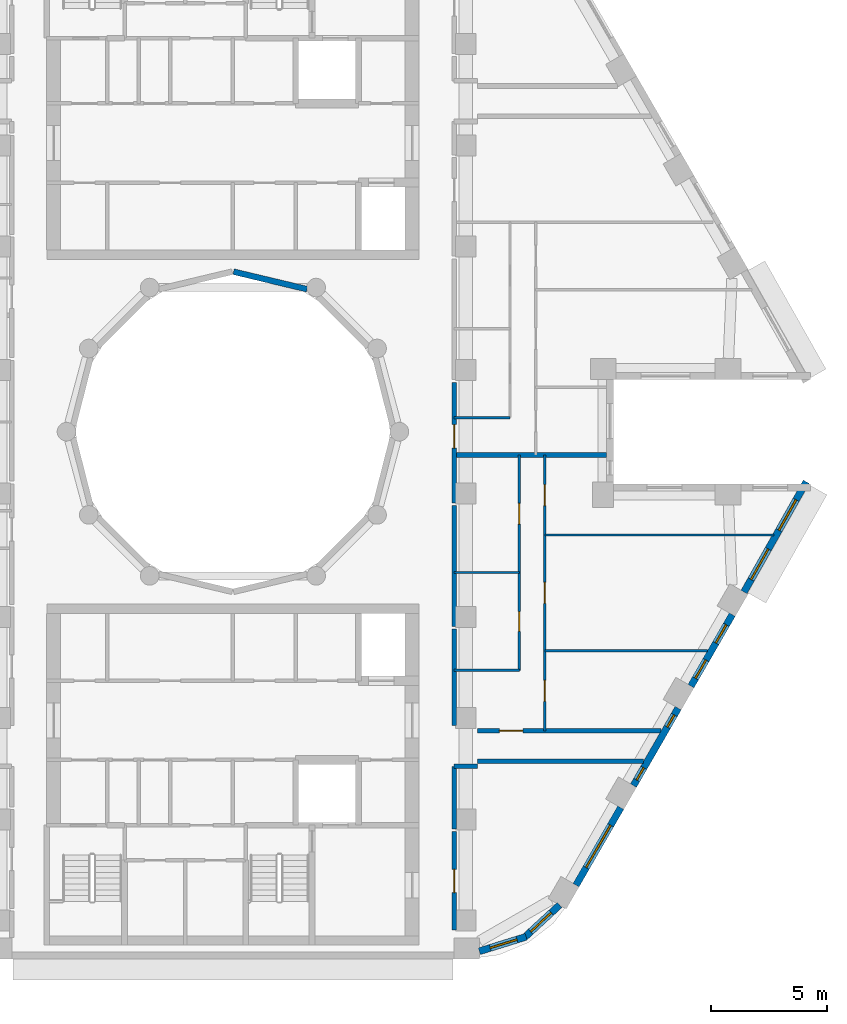
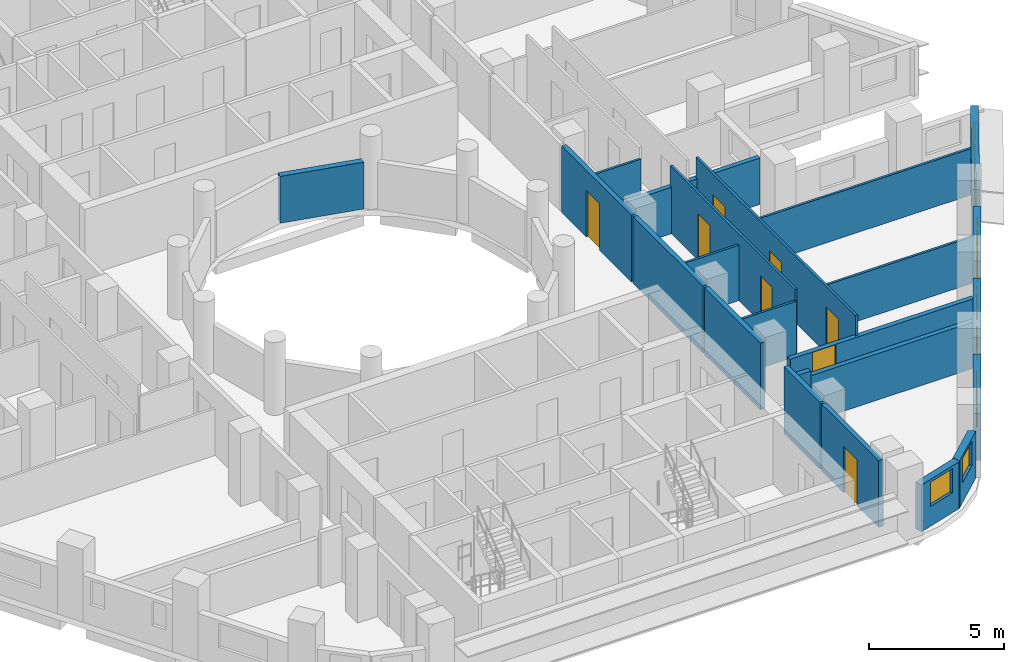
# One storey, part 5 of 13: 23 walls, 9 windows, 8 doors, 17 openings.
"""IFC4 building model written with IfcOpenShell, lengths in metres."""

from ifc_helpers import new_model, si_unit, direction, frame, frame_2d, origin, place, context, subcontext, project, spatial, rectangle, extrude, material, layer, layer_set, type_object, element, fill, save


model = new_model("IFC4")

# Units and contexts
model_context = context("Model", 3, precision=1e-05, world=origin(), true_north=direction((0.0, 1.0)))
body_context = subcontext(model_context, "Body", "Model", "MODEL_VIEW")
ifc_project = project(units=[si_unit("LENGTHUNIT", "METRE"), si_unit("AREAUNIT", "SQUARE_METRE"), si_unit("VOLUMEUNIT", "CUBIC_METRE"), si_unit("PLANEANGLEUNIT", "RADIAN"), si_unit("MASSUNIT", "GRAM", prefix="KILO")], contexts=[model_context])

# Site, building, storey
site_placement = place(None, origin())
site = spatial("IfcSite", under=ifc_project, at=site_placement, CompositionType="ELEMENT")
building_placement = place(site_placement, origin())
building = spatial("IfcBuilding", under=site, at=building_placement, Name="Nakaniwa Court", CompositionType="ELEMENT")
storey_placement = place(building_placement, frame((0.0, 0.0, 269.10009765625)))
storey = spatial("IfcBuildingStorey", under=building, at=storey_placement, Name="L71", CompositionType="ELEMENT", Elevation=269.10009765625)

# Wall, opening, door
ifc_material_1 = material(Name="Acoustic double stud partition")
ifc_layer_1 = layer(ifc_material_1, 0.199951171875)
ifc_layer_set_1 = layer_set([ifc_layer_1], Name="Acoustic double stud partition")
wall_type_1 = type_object("IfcWallType", Name="Acoustic double stud partition 200", PredefinedType="PARTITIONING", material=ifc_layer_set_1)
wall_1_placement = place(storey_placement, frame((89.5, 62.822998046875, 0.0), z_axis=(0.0, 0.0, 1.0), x_axis=(0.0, -1.0, 0.0)))
wall_1 = element("IfcWall", 1, at=wall_1_placement, inside=storey, type_object=wall_type_1, Name="Partition PW-059", PredefinedType="PARTITIONING", context=body_context, shape_type="SweptSolid", body=[
    extrude(rectangle(XDim=4.236083984375, YDim=0.199951171875, at=frame_2d((2.1181640625, 0.0))), origin(), (0.0, 0.0, 1.0), 3.02490234375),
])
opening_1_placement = place(wall_1_placement, frame((1.617919921875, 0.0, 0.0)))
opening_1 = element("IfcOpeningElement", 2, at=opening_1_placement, cuts=wall_1, Name="Opening D-02-01", PredefinedType="OPENING", context=body_context, shape_type="SweptSolid", body=[
    extrude(rectangle(XDim=1.0, YDim=2.10009765625, at=frame_2d((0.5, 1.050048828125))), frame((0.0, 0.10986328125, 0.0), z_axis=(0.0, -1.0, 0.0), x_axis=(1.0, 0.0, 0.0)), (0.0, 0.0, 1.0), 0.219970703125),
])
ifc_material_2 = material(Name="Solid core timber door set, black veneer", Category="wood")
door_type_1 = type_object("IfcDoorType", Name="Internal door 1000", OperationType="NOTDEFINED", PredefinedType="DOOR", material=ifc_material_2)
door_1_placement = place(opening_1_placement, origin())
door_1 = element("IfcDoor", 3, at=door_1_placement, inside=storey, type_object=door_type_1, Name="Door D-02-01 L71-031", OperationType="SINGLE_SWING_RIGHT", OverallHeight=2.10009765625, OverallWidth=1.0, PredefinedType="DOOR", context=body_context, shape_type="SweptSolid", body=[
    extrude(rectangle(XDim=1.0, YDim=2.10009765625, at=frame_2d((0.5, 1.050048828125))), frame((0.0, 0.02490234375, 0.0), z_axis=(0.0, -1.0, 0.0), x_axis=(1.0, 0.0, 0.0)), (0.0, 0.0, 1.0), 0.050048828125),
])
fill(opening_1, door_1)

# Walls
wall_2_placement = place(storey_placement, frame((89.5, 62.93701171875, 0.0), z_axis=(0.0, 0.0, 1.0), x_axis=(0.0, 1.0, 0.0)))
element("IfcWall", 4, at=wall_2_placement, inside=storey, type_object=wall_type_1, Name="Partition PW-060", PredefinedType="PARTITIONING", context=body_context, shape_type="SweptSolid", body=[
    extrude(rectangle(XDim=2.69091796875, YDim=0.199951171875, at=frame_2d((1.345458984375, 0.0))), origin(), (0.0, 0.0, 1.0), 3.02490234375),
])
wall_3_placement = place(storey_placement, frame((89.5, 67.3720703125, 0.0), z_axis=(0.0, 0.0, 1.0), x_axis=(0.0, 1.0, 0.0)))
element("IfcWall", 5, at=wall_3_placement, inside=storey, type_object=wall_type_1, Name="Partition PW-061", PredefinedType="PARTITIONING", context=body_context, shape_type="SweptSolid", body=[
    extrude(rectangle(XDim=4.15087890625, YDim=0.199951171875, at=frame_2d((2.075439453125, 0.0))), origin(), (0.0, 0.0, 1.0), 3.02490234375),
])
wall_4_placement = place(storey_placement, frame((89.5, 71.636962890625, 0.0), z_axis=(0.0, 0.0, 1.0), x_axis=(0.0, 1.0, 0.0)))
element("IfcWall", 6, at=wall_4_placement, inside=storey, type_object=wall_type_1, Name="Partition PW-062", PredefinedType="PARTITIONING", context=body_context, shape_type="SweptSolid", body=[
    extrude(rectangle(XDim=5.18603515625, YDim=0.199951171875, at=frame_2d((2.593017578125, 0.0))), origin(), (0.0, 0.0, 1.0), 3.02490234375),
])

# Wall, opening, door
wall_5_placement = place(storey_placement, frame((89.5, 82.123046875, 0.0), z_axis=(0.0, 0.0, 1.0), x_axis=(0.0, -1.0, 0.0)))
wall_5 = element("IfcWall", 7, at=wall_5_placement, inside=storey, type_object=wall_type_1, Name="Partition PW-063", PredefinedType="PARTITIONING", context=body_context, shape_type="SweptSolid", body=[
    extrude(rectangle(XDim=5.18603515625, YDim=0.199951171875, at=frame_2d((2.593017578125, 0.0))), origin(), (0.0, 0.0, 1.0), 3.02490234375),
])
opening_2_placement = place(wall_5_placement, frame((1.822998046875, 0.0, 0.0)))
opening_2 = element("IfcOpeningElement", 8, at=opening_2_placement, cuts=wall_5, Name="Opening D-01-01", PredefinedType="OPENING", context=body_context, shape_type="SweptSolid", body=[
    extrude(rectangle(XDim=1.0, YDim=2.10009765625, at=frame_2d((0.5, 1.050048828125))), frame((0.0, 0.10986328125, 0.0), z_axis=(0.0, -1.0, 0.0), x_axis=(1.0, 0.0, 0.0)), (0.0, 0.0, 1.0), 0.219970703125),
])
door_type_2 = type_object("IfcDoorType", Name="Flat entrance door 1000", OperationType="NOTDEFINED", PredefinedType="DOOR", material=ifc_material_2)
door_2_placement = place(opening_2_placement, origin())
door_2 = element("IfcDoor", 9, at=door_2_placement, inside=storey, type_object=door_type_2, Name="Door D-01-01 L71-038", OperationType="SINGLE_SWING_LEFT", OverallHeight=2.10009765625, OverallWidth=1.0, PredefinedType="DOOR", context=body_context, shape_type="SweptSolid", body=[
    extrude(rectangle(XDim=1.0, YDim=2.10009765625, at=frame_2d((0.5, 1.050048828125))), frame((0.0, 0.02490234375, 0.0), z_axis=(0.0, -1.0, 0.0), x_axis=(1.0, 0.0, 0.0)), (0.0, 0.0, 1.0), 0.050048828125),
])
fill(opening_2, door_2)

# Walls
wall_6_placement = place(storey_placement, frame((90.5, 65.85009765625, 0.0), z_axis=(0.0, 0.0, 1.0), x_axis=(1.0, 0.0, 0.0)))
element("IfcWall", 10, at=wall_6_placement, inside=storey, type_object=wall_type_1, Name="Partition PW-079", PredefinedType="PARTITIONING", context=body_context, shape_type="SweptSolid", body=[
    extrude(rectangle(XDim=7.13818359375, YDim=0.199951171875, at=frame_2d((3.569091796875, 0.0))), origin(), (0.0, 0.0, 1.0), 2.10498046875),
])
wall_7_placement = place(storey_placement, frame((89.5, 65.625, 0.0), z_axis=(0.0, 0.0, 1.0), x_axis=(1.0, 0.0, 0.0)))
element("IfcWall", 11, at=wall_7_placement, inside=storey, type_object=wall_type_1, Name="Partition PW-081", PredefinedType="PARTITIONING", context=body_context, shape_type="SweptSolid", body=[
    extrude(rectangle(XDim=1.0, YDim=0.199951171875, at=frame_2d((0.5, 0.0))), origin(), (0.0, 0.0, 1.0), 2.5048828125),
])

# Wall, opening, door
wall_8_placement = place(storey_placement, frame((90.5, 67.14990234375, 0.0), z_axis=(0.0, 0.0, 1.0), x_axis=(1.0, 0.0, 0.0)))
wall_8 = element("IfcWall", 12, at=wall_8_placement, inside=storey, type_object=wall_type_1, Name="Partition PW-083", PredefinedType="PARTITIONING", context=body_context, shape_type="SweptSolid", body=[
    extrude(rectangle(XDim=7.888671875, YDim=0.199951171875, at=frame_2d((3.9443359375, 0.0))), origin(), (0.0, 0.0, 1.0), 2.10498046875),
])
opening_3_placement = place(wall_8_placement, frame((0.949951171875, 0.0, 0.0)))
opening_3 = element("IfcOpeningElement", 13, at=opening_3_placement, cuts=wall_8, Name="Opening D-39-01", PredefinedType="OPENING", context=body_context, shape_type="SweptSolid", body=[
    extrude(rectangle(XDim=1.0, YDim=2.0849609375, at=frame_2d((0.5, 1.04248046875))), frame((0.0, 0.10986328125, 0.0), z_axis=(0.0, -1.0, 0.0), x_axis=(1.0, 0.0, 0.0)), (0.0, 0.0, 1.0), 0.219970703125),
])
door_type_3 = type_object("IfcDoorType", Name="Flat entrance door 1000 x 2085", OperationType="NOTDEFINED", PredefinedType="DOOR", material=ifc_material_2)
door_3_placement = place(opening_3_placement, origin())
door_3 = element("IfcDoor", 14, at=door_3_placement, inside=storey, type_object=door_type_3, Name="Door D-39-01 L71-032", OperationType="SINGLE_SWING_LEFT", OverallHeight=2.0849609375, OverallWidth=1.0, PredefinedType="DOOR", context=body_context, shape_type="SweptSolid", body=[
    extrude(rectangle(XDim=1.0, YDim=2.0849609375, at=frame_2d((0.5, 1.04248046875))), frame((0.0, 0.02490234375, 0.0), z_axis=(0.0, -1.0, 0.0), x_axis=(1.0, 0.0, 0.0)), (0.0, 0.0, 1.0), 0.050048828125),
])
fill(opening_3, door_3)

# Wall
wall_9_placement = place(storey_placement, frame((89.5, 79.0, 0.0), z_axis=(0.0, 0.0, 1.0), x_axis=(1.0, 0.0, 0.0)))
element("IfcWall", 15, at=wall_9_placement, inside=storey, type_object=wall_type_1, Name="Partition PW-099", PredefinedType="PARTITIONING", context=body_context, shape_type="SweptSolid", body=[
    extrude(rectangle(XDim=6.549560546875, YDim=0.199951171875, at=frame_2d((3.27490234375, 0.0))), origin(), (0.0, 0.0, 1.0), 2.10498046875),
])

# Wall, opening, window
ifc_material_3 = material(Name="Charcoal ceramic cladding")
ifc_layer_2 = layer(ifc_material_3, 0.02, Name="Ceramic cladding")
ifc_material_4 = material(Name="Ventilated air cavity")
ifc_layer_3 = layer(ifc_material_4, 0.04, ventilated=True, Name="Ventilated cavity")
ifc_material_5 = material(Name="Mineral wool insulation")
ifc_layer_4 = layer(ifc_material_5, 0.1, Name="Insulation")
ifc_material_6 = material(Name="Cement bonded sheathing board")
ifc_layer_5 = layer(ifc_material_6, 0.012, Name="Sheathing")
ifc_material_7 = material(Name="Cold-formed galvanised stud frame with mineral wool infill")
ifc_layer_6 = layer(ifc_material_7, 0.1, Name="Stud frame")
ifc_material_8 = material(Name="Fire-rated gypsum plasterboard lining")
ifc_layer_7 = layer(ifc_material_8, 0.028, Name="Lining")
ifc_layer_set_2 = layer_set([ifc_layer_2, ifc_layer_3, ifc_layer_4, ifc_layer_5, ifc_layer_6, ifc_layer_7], Name="Charcoal ceramic faced external wall system")
wall_type_2 = type_object("IfcWallType", Name="Black ceramic faced external wall 300", PredefinedType="SOLIDWALL", material=ifc_layer_set_2)
wall_10_placement = place(storey_placement, frame((90.585693359375, 57.68408203125, 0.0), z_axis=(0.0, 0.0, 1.0), x_axis=(0.954941641926, 0.296793632875, 0.0)))
wall_10 = element("IfcWall", 16, at=wall_10_placement, inside=storey, type_object=wall_type_2, Name="L71 external wall 27", PredefinedType="SOLIDWALL", context=body_context, shape_type="SweptSolid", body=[
    extrude(rectangle(XDim=2.1025390625, YDim=0.300048828125, at=frame_2d((1.05126953125, 0.0))), origin(), (0.0, 0.0, 1.0), 2.125),
])
opening_4_placement = place(wall_10_placement, frame((0.490234375, 0.0, 0.89990234375)))
opening_4 = element("IfcOpeningElement", 17, at=opening_4_placement, cuts=wall_10, Name="Opening W6.29", PredefinedType="OPENING", context=body_context, shape_type="SweptSolid", body=[
    extrude(rectangle(XDim=1.199951171875, YDim=1.10009765625, at=frame_2d((0.60009765625, 0.550048828125))), frame((0.0, 0.159912109375, 0.0), z_axis=(0.0, -1.0, 0.0), x_axis=(1.0, 0.0, 0.0)), (0.0, 0.0, 1.0), 0.320068359375),
])
ifc_material_9 = material(Name="Black anodised aluminium frame with dark low-E laminated double glazing", Category="aluminium")
window_type_1 = type_object("IfcWindowType", Name="Dark glass window 1200x1100 sill 900", PartitioningType="SINGLE_PANEL", PredefinedType="WINDOW", material=ifc_material_9)
window_1_placement = place(opening_4_placement, origin())
window_1 = element("IfcWindow", 18, at=window_1_placement, inside=storey, type_object=window_type_1, Name="L71 habitable room window 27-0", OverallHeight=1.10009765625, OverallWidth=1.199951171875, PartitioningType="SINGLE_PANEL", PredefinedType="WINDOW", context=body_context, shape_type="SweptSolid", body=[
    extrude(rectangle(XDim=1.199951171875, YDim=1.10009765625, at=frame_2d((0.60009765625, 0.550048828125))), frame((0.0, 0.030029296875, 0.0), z_axis=(0.0, -1.0, 0.0), x_axis=(1.0, 0.0, 0.0)), (0.0, 0.0, 1.0), 0.06005859375),
])
fill(opening_4, window_1)

wall_11_placement = place(storey_placement, frame((92.489501953125, 58.247314453125, 0.0), z_axis=(0.0, 0.0, 1.0), x_axis=(0.734830223907, 0.678251090698, 0.0)))
wall_11 = element("IfcWall", 19, at=wall_11_placement, inside=storey, type_object=wall_type_2, Name="L71 external wall 28", PredefinedType="SOLIDWALL", context=body_context, shape_type="SweptSolid", body=[
    extrude(rectangle(XDim=2.09716796875, YDim=0.300048828125, at=frame_2d((1.048583984375, 0.0))), origin(), (0.0, 0.0, 1.0), 2.125),
])
opening_5_placement = place(wall_11_placement, frame((0.409423828125, 0.0, 0.89990234375)))
opening_5 = element("IfcOpeningElement", 20, at=opening_5_placement, cuts=wall_11, Name="Opening W6.30", PredefinedType="OPENING", context=body_context, shape_type="SweptSolid", body=[
    extrude(rectangle(XDim=1.199951171875, YDim=1.10009765625, at=frame_2d((0.60009765625, 0.550048828125))), frame((0.0, 0.159912109375, 0.0), z_axis=(0.0, -1.0, 0.0), x_axis=(1.0, 0.0, 0.0)), (0.0, 0.0, 1.0), 0.320068359375),
])
window_2_placement = place(opening_5_placement, origin())
window_2 = element("IfcWindow", 21, at=window_2_placement, inside=storey, type_object=window_type_1, Name="L71 habitable room window 28-0", OverallHeight=1.10009765625, OverallWidth=1.199951171875, PartitioningType="SINGLE_PANEL", PredefinedType="WINDOW", context=body_context, shape_type="SweptSolid", body=[
    extrude(rectangle(XDim=1.199951171875, YDim=1.10009765625, at=frame_2d((0.60009765625, 0.550048828125))), frame((0.0, 0.030029296875, 0.0), z_axis=(0.0, -1.0, 0.0), x_axis=(1.0, 0.0, 0.0)), (0.0, 0.0, 1.0), 0.06005859375),
])
fill(opening_5, window_2)

wall_12_placement = place(storey_placement, frame((94.73583984375, 60.523193359375, 0.0), z_axis=(0.0, 0.0, 1.0), x_axis=(0.499984490703, 0.866034357896, 0.0)))
wall_12 = element("IfcWall", 22, at=wall_12_placement, inside=storey, type_object=wall_type_2, Name="L71 external wall 29", PredefinedType="SOLIDWALL", context=body_context, shape_type="SweptSolid", body=[
    extrude(rectangle(XDim=3.84423828125, YDim=0.300048828125, at=frame_2d((1.922119140625, 0.0))), origin(), (0.0, 0.0, 1.0), 2.125),
])
opening_6_placement = place(wall_12_placement, frame((0.8720703125, 0.0, 0.89990234375)))
opening_6 = element("IfcOpeningElement", 23, at=opening_6_placement, cuts=wall_12, Name="Opening W7.31", PredefinedType="OPENING", context=body_context, shape_type="SweptSolid", body=[
    extrude(rectangle(XDim=2.10009765625, YDim=1.10009765625, at=frame_2d((1.050048828125, 0.550048828125))), frame((0.0, 0.159912109375, 0.0), z_axis=(0.0, -1.0, 0.0), x_axis=(1.0, 0.0, 0.0)), (0.0, 0.0, 1.0), 0.320068359375),
])
window_type_2 = type_object("IfcWindowType", Name="Dark glass window 2100x1100 sill 900", PartitioningType="SINGLE_PANEL", PredefinedType="WINDOW", material=ifc_material_9)
window_3_placement = place(opening_6_placement, origin())
window_3 = element("IfcWindow", 24, at=window_3_placement, inside=storey, type_object=window_type_2, Name="L71 habitable room window 29-0", OverallHeight=1.10009765625, OverallWidth=2.10009765625, PartitioningType="SINGLE_PANEL", PredefinedType="WINDOW", context=body_context, shape_type="SweptSolid", body=[
    extrude(rectangle(XDim=2.10009765625, YDim=1.10009765625, at=frame_2d((1.050048828125, 0.550048828125))), frame((0.0, 0.030029296875, 0.0), z_axis=(0.0, -1.0, 0.0), x_axis=(1.0, 0.0, 0.0)), (0.0, 0.0, 1.0), 0.06005859375),
])
fill(opening_6, window_3)

# Wall, openings, windows
wall_13_placement = place(storey_placement, frame((97.2041015625, 64.798095703125, 0.0), z_axis=(0.0, 0.0, 1.0), x_axis=(0.499984490703, 0.866034357896, 0.0)))
wall_13 = element("IfcWall", 25, at=wall_13_placement, inside=storey, type_object=wall_type_2, Name="L71 external wall 30", PredefinedType="SOLIDWALL", context=body_context, shape_type="SweptSolid", body=[
    extrude(rectangle(XDim=3.84423828125, YDim=0.300048828125, at=frame_2d((1.922119140625, 0.0))), origin(), (0.0, 0.0, 1.0), 2.125),
])
opening_7_placement = place(wall_13_placement, frame((0.283203125, 0.0, 0.89990234375)))
opening_7 = element("IfcOpeningElement", 26, at=opening_7_placement, cuts=wall_13, Name="Opening W8.32", PredefinedType="OPENING", context=body_context, shape_type="SweptSolid", body=[
    extrude(rectangle(XDim=0.60009765625, YDim=1.10009765625, at=frame_2d((0.300048828125, 0.550048828125))), frame((0.0, 0.159912109375, 0.0), z_axis=(0.0, -1.0, 0.0), x_axis=(1.0, 0.0, 0.0)), (0.0, 0.0, 1.0), 0.320068359375),
])
opening_8_placement = place(wall_13_placement, frame((2.906005859375, 0.0, 0.89990234375)))
opening_8 = element("IfcOpeningElement", 27, at=opening_8_placement, cuts=wall_13, Name="Opening W8.33", PredefinedType="OPENING", context=body_context, shape_type="SweptSolid", body=[
    extrude(rectangle(XDim=0.60009765625, YDim=1.10009765625, at=frame_2d((0.300048828125, 0.550048828125))), frame((0.0, 0.159912109375, 0.0), z_axis=(0.0, -1.0, 0.0), x_axis=(1.0, 0.0, 0.0)), (0.0, 0.0, 1.0), 0.320068359375),
])
window_type_3 = type_object("IfcWindowType", Name="Dark glass window 600x1100 sill 900", PartitioningType="SINGLE_PANEL", PredefinedType="WINDOW", material=ifc_material_9)
window_4_placement = place(opening_7_placement, origin())
window_4 = element("IfcWindow", 28, at=window_4_placement, inside=storey, type_object=window_type_3, Name="L71 habitable room window 30-0", OverallHeight=1.10009765625, OverallWidth=0.60009765625, PartitioningType="SINGLE_PANEL", PredefinedType="WINDOW", context=body_context, shape_type="SweptSolid", body=[
    extrude(rectangle(XDim=0.60009765625, YDim=1.10009765625, at=frame_2d((0.300048828125, 0.550048828125))), frame((0.0, 0.030029296875, 0.0), z_axis=(0.0, -1.0, 0.0), x_axis=(1.0, 0.0, 0.0)), (0.0, 0.0, 1.0), 0.06005859375),
])
fill(opening_7, window_4)
window_5_placement = place(opening_8_placement, origin())
window_5 = element("IfcWindow", 29, at=window_5_placement, inside=storey, type_object=window_type_3, Name="L71 bedroom window 30-2", OverallHeight=1.10009765625, OverallWidth=0.60009765625, PartitioningType="SINGLE_PANEL", PredefinedType="WINDOW", context=body_context, shape_type="SweptSolid", body=[
    extrude(rectangle(XDim=0.60009765625, YDim=1.10009765625, at=frame_2d((0.300048828125, 0.550048828125))), frame((0.0, 0.030029296875, 0.0), z_axis=(0.0, -1.0, 0.0), x_axis=(1.0, 0.0, 0.0)), (0.0, 0.0, 1.0), 0.06005859375),
])
fill(opening_8, window_5)

wall_14_placement = place(storey_placement, frame((99.672119140625, 69.072998046875, 0.0), z_axis=(0.0, 0.0, 1.0), x_axis=(0.500010404316, 0.866019396766, 0.0)))
wall_14 = element("IfcWall", 30, at=wall_14_placement, inside=storey, type_object=wall_type_2, Name="L71 external wall 31", PredefinedType="SOLIDWALL", context=body_context, shape_type="SweptSolid", body=[
    extrude(rectangle(XDim=3.54736328125, YDim=0.300048828125, at=frame_2d((1.773681640625, 0.0))), origin(), (0.0, 0.0, 1.0), 2.125),
])
opening_9_placement = place(wall_14_placement, frame((0.388916015625, 0.0, 0.89990234375)))
opening_9 = element("IfcOpeningElement", 31, at=opening_9_placement, cuts=wall_14, Name="Opening W9.34", PredefinedType="OPENING", context=body_context, shape_type="SweptSolid", body=[
    extrude(rectangle(XDim=0.89990234375, YDim=1.10009765625, at=frame_2d((0.449951171875, 0.550048828125))), frame((0.0, 0.159912109375, 0.0), z_axis=(0.0, -1.0, 0.0), x_axis=(1.0, 0.0, 0.0)), (0.0, 0.0, 1.0), 0.320068359375),
])
opening_10_placement = place(wall_14_placement, frame((2.138427734375, 0.0, 0.89990234375)))
opening_10 = element("IfcOpeningElement", 32, at=opening_10_placement, cuts=wall_14, Name="Opening W9.35", PredefinedType="OPENING", context=body_context, shape_type="SweptSolid", body=[
    extrude(rectangle(XDim=0.89990234375, YDim=1.10009765625, at=frame_2d((0.449951171875, 0.550048828125))), frame((0.0, 0.159912109375, 0.0), z_axis=(0.0, -1.0, 0.0), x_axis=(1.0, 0.0, 0.0)), (0.0, 0.0, 1.0), 0.320068359375),
])
window_type_4 = type_object("IfcWindowType", Name="Dark glass window 900x1100 sill 900", PartitioningType="SINGLE_PANEL", PredefinedType="WINDOW", material=ifc_material_9)
window_6_placement = place(opening_9_placement, origin())
window_6 = element("IfcWindow", 33, at=window_6_placement, inside=storey, type_object=window_type_4, Name="L71 bedroom window 31-0", OverallHeight=1.10009765625, OverallWidth=0.89990234375, PartitioningType="SINGLE_PANEL", PredefinedType="WINDOW", context=body_context, shape_type="SweptSolid", body=[
    extrude(rectangle(XDim=0.89990234375, YDim=1.10009765625, at=frame_2d((0.449951171875, 0.550048828125))), frame((0.0, 0.030029296875, 0.0), z_axis=(0.0, -1.0, 0.0), x_axis=(1.0, 0.0, 0.0)), (0.0, 0.0, 1.0), 0.06005859375),
])
fill(opening_9, window_6)
window_7_placement = place(opening_10_placement, origin())
window_7 = element("IfcWindow", 34, at=window_7_placement, inside=storey, type_object=window_type_4, Name="L71 living window 31-1", OverallHeight=1.10009765625, OverallWidth=0.89990234375, PartitioningType="SINGLE_PANEL", PredefinedType="WINDOW", context=body_context, shape_type="SweptSolid", body=[
    extrude(rectangle(XDim=0.89990234375, YDim=1.10009765625, at=frame_2d((0.449951171875, 0.550048828125))), frame((0.0, 0.030029296875, 0.0), z_axis=(0.0, -1.0, 0.0), x_axis=(1.0, 0.0, 0.0)), (0.0, 0.0, 1.0), 0.06005859375),
])
fill(opening_10, window_7)

wall_15_placement = place(storey_placement, frame((101.951904296875, 73.113525390625, 0.0), z_axis=(0.0, 0.0, 1.0), x_axis=(0.492080931903, 0.870549456641, 0.0)))
wall_15 = element("IfcWall", 35, at=wall_15_placement, inside=storey, type_object=wall_type_2, Name="L71 external wall 32", PredefinedType="SOLIDWALL", context=body_context, shape_type="SweptSolid", body=[
    extrude(rectangle(XDim=5.436767578125, YDim=0.300048828125, at=frame_2d((2.71826171875, 0.0))), origin(), (0.0, 0.0, 1.0), 2.125),
])
opening_11_placement = place(wall_15_placement, frame((0.61962890625, 0.0, 0.89990234375)))
opening_11 = element("IfcOpeningElement", 36, at=opening_11_placement, cuts=wall_15, Name="Opening W5.36", PredefinedType="OPENING", context=body_context, shape_type="SweptSolid", body=[
    extrude(rectangle(XDim=1.5, YDim=1.10009765625, at=frame_2d((0.75, 0.550048828125))), frame((0.0, 0.159912109375, 0.0), z_axis=(0.0, -1.0, 0.0), x_axis=(1.0, 0.0, 0.0)), (0.0, 0.0, 1.0), 0.320068359375),
])
opening_12_placement = place(wall_15_placement, frame((3.049560546875, 0.0, 0.89990234375)))
opening_12 = element("IfcOpeningElement", 37, at=opening_12_placement, cuts=wall_15, Name="Opening W5.37", PredefinedType="OPENING", context=body_context, shape_type="SweptSolid", body=[
    extrude(rectangle(XDim=1.5, YDim=1.10009765625, at=frame_2d((0.75, 0.550048828125))), frame((0.0, 0.159912109375, 0.0), z_axis=(0.0, -1.0, 0.0), x_axis=(1.0, 0.0, 0.0)), (0.0, 0.0, 1.0), 0.320068359375),
])
window_type_5 = type_object("IfcWindowType", Name="Dark glass window 1500x1100 sill 900", PartitioningType="SINGLE_PANEL", PredefinedType="WINDOW", material=ifc_material_9)
window_8_placement = place(opening_11_placement, origin())
window_8 = element("IfcWindow", 38, at=window_8_placement, inside=storey, type_object=window_type_5, Name="L71 living window 32-0", OverallHeight=1.10009765625, OverallWidth=1.5, PartitioningType="SINGLE_PANEL", PredefinedType="WINDOW", context=body_context, shape_type="SweptSolid", body=[
    extrude(rectangle(XDim=1.5, YDim=1.10009765625, at=frame_2d((0.75, 0.550048828125))), frame((0.0, 0.030029296875, 0.0), z_axis=(0.0, -1.0, 0.0), x_axis=(1.0, 0.0, 0.0)), (0.0, 0.0, 1.0), 0.06005859375),
])
fill(opening_11, window_8)
window_9_placement = place(opening_12_placement, origin())
window_9 = element("IfcWindow", 39, at=window_9_placement, inside=storey, type_object=window_type_5, Name="L71 bedroom window 32-1", OverallHeight=1.10009765625, OverallWidth=1.5, PartitioningType="SINGLE_PANEL", PredefinedType="WINDOW", context=body_context, shape_type="SweptSolid", body=[
    extrude(rectangle(XDim=1.5, YDim=1.10009765625, at=frame_2d((0.75, 0.550048828125))), frame((0.0, 0.030029296875, 0.0), z_axis=(0.0, -1.0, 0.0), x_axis=(1.0, 0.0, 0.0)), (0.0, 0.0, 1.0), 0.06005859375),
])
fill(opening_12, window_9)

# Walls
ifc_layer_8 = layer(ifc_material_3, 0.02, Name="Ceramic cladding")
ifc_layer_9 = layer(ifc_material_4, 0.04, ventilated=True, Name="Ventilated cavity")
ifc_layer_10 = layer(ifc_material_5, 0.075, Name="Insulation")
ifc_layer_11 = layer(ifc_material_6, 0.012, Name="Sheathing")
ifc_layer_12 = layer(ifc_material_7, 0.075, Name="Stud frame")
ifc_layer_13 = layer(ifc_material_8, 0.028, Name="Lining")
ifc_layer_set_3 = layer_set([ifc_layer_8, ifc_layer_9, ifc_layer_10, ifc_layer_11, ifc_layer_12, ifc_layer_13], Name="Charcoal ceramic faced external wall system")
wall_type_3 = type_object("IfcWallType", Name="Charcoal ceramic faced well wall 250", PredefinedType="SOLIDWALL", material=ifc_layer_set_3)
wall_16_placement = place(storey_placement, frame((80.029052734375, 86.87158203125, 0.0), z_axis=(0.0, 0.0, 1.0), x_axis=(0.972773113459, -0.231759508395, 0.0)))
element("IfcWall", 40, at=wall_16_placement, inside=storey, type_object=wall_type_3, Name="L71 external wall 45", PredefinedType="SOLIDWALL", context=body_context, shape_type="SweptSolid", body=[
    extrude(rectangle(XDim=3.24560546875, YDim=0.25, at=frame_2d((1.622802734375, 0.0))), origin(), (0.0, 0.0, 1.0), 2.125),
])
ifc_material_10 = material(Name="Single stud plasterboard partition")
ifc_layer_14 = layer(ifc_material_10, 0.10009765625)
ifc_layer_set_4 = layer_set([ifc_layer_14], Name="Single stud plasterboard partition")
wall_type_4 = type_object("IfcWallType", Name="Single stud plasterboard partition 100", PredefinedType="PARTITIONING", material=ifc_layer_set_4)
wall_17_placement = place(storey_placement, frame((89.5, 73.9541015625, 0.0), z_axis=(0.0, 0.0, 1.0), x_axis=(1.0, 0.0, 0.0)))
element("IfcWall", 41, at=wall_17_placement, inside=storey, type_object=wall_type_4, Name="Partition PW-096", PredefinedType="PARTITIONING", context=body_context, shape_type="SweptSolid", body=[
    extrude(rectangle(XDim=2.800048828125, YDim=0.10009765625, at=frame_2d((1.39990234375, 0.0))), origin(), (0.0, 0.0, 1.0), 2.5048828125),
])

# Wall, openings, doors
wall_18_placement = place(storey_placement, frame((92.300048828125, 69.75, 0.0), z_axis=(0.0, 0.0, 1.0), x_axis=(0.0, 1.0, 0.0)))
wall_18 = element("IfcWall", 42, at=wall_18_placement, inside=storey, type_object=wall_type_4, Name="Partition PW-097", PredefinedType="PARTITIONING", context=body_context, shape_type="SweptSolid", body=[
    extrude(rectangle(XDim=9.25, YDim=0.10009765625, at=frame_2d((4.625, 0.0))), origin(), (0.0, 0.0, 1.0), 3.02490234375),
])
opening_13_placement = place(wall_18_placement, frame((1.677001953125, 0.0, 0.0)))
opening_13 = element("IfcOpeningElement", 43, at=opening_13_placement, cuts=wall_18, Name="Opening D-03-01", PredefinedType="OPENING", context=body_context, shape_type="SweptSolid", body=[
    extrude(rectangle(XDim=0.85009765625, YDim=2.10009765625, at=frame_2d((0.425048828125, 1.050048828125))), frame((0.0, 0.06005859375, 0.0), z_axis=(0.0, -1.0, 0.0), x_axis=(1.0, 0.0, 0.0)), (0.0, 0.0, 1.0), 0.1201171875),
])
opening_14_placement = place(wall_18_placement, frame((6.277099609375, 0.0, 0.0)))
opening_14 = element("IfcOpeningElement", 44, at=opening_14_placement, cuts=wall_18, Name="Opening D-33-01", PredefinedType="OPENING", context=body_context, shape_type="SweptSolid", body=[
    extrude(rectangle(XDim=0.89990234375, YDim=2.10009765625, at=frame_2d((0.449951171875, 1.050048828125))), frame((0.0, 0.06005859375, 0.0), z_axis=(0.0, -1.0, 0.0), x_axis=(1.0, 0.0, 0.0)), (0.0, 0.0, 1.0), 0.1201171875),
])
ifc_material_11 = material(Name="Moisture sealed timber door set", Category="wood")
door_type_4 = type_object("IfcDoorType", Name="Bathroom door 850", OperationType="NOTDEFINED", PredefinedType="DOOR", material=ifc_material_11)
door_4_placement = place(opening_13_placement, origin())
door_4 = element("IfcDoor", 45, at=door_4_placement, inside=storey, type_object=door_type_4, Name="Door D-03-01 L71-033", OperationType="SINGLE_SWING_RIGHT", OverallHeight=2.10009765625, OverallWidth=0.85009765625, PredefinedType="DOOR", context=body_context, shape_type="SweptSolid", body=[
    extrude(rectangle(XDim=0.85009765625, YDim=2.10009765625, at=frame_2d((0.425048828125, 1.050048828125))), frame((0.0, 0.02490234375, 0.0), z_axis=(0.0, -1.0, 0.0), x_axis=(1.0, 0.0, 0.0)), (0.0, 0.0, 1.0), 0.050048828125),
])
fill(opening_13, door_4)
door_type_5 = type_object("IfcDoorType", Name="Internal door 900", OperationType="NOTDEFINED", PredefinedType="DOOR", material=ifc_material_2)
door_5_placement = place(opening_14_placement, origin())
door_5 = element("IfcDoor", 46, at=door_5_placement, inside=storey, type_object=door_type_5, Name="Door D-33-01 L71-034", OperationType="SINGLE_SWING_LEFT", OverallHeight=2.10009765625, OverallWidth=0.89990234375, PredefinedType="DOOR", context=body_context, shape_type="SweptSolid", body=[
    extrude(rectangle(XDim=0.89990234375, YDim=2.10009765625, at=frame_2d((0.449951171875, 1.050048828125))), frame((0.0, 0.02490234375, 0.0), z_axis=(0.0, -1.0, 0.0), x_axis=(1.0, 0.0, 0.0)), (0.0, 0.0, 1.0), 0.050048828125),
])
fill(opening_14, door_5)

# Wall
wall_19_placement = place(storey_placement, frame((89.5, 69.75, 0.0), z_axis=(0.0, 0.0, 1.0), x_axis=(1.0, 0.0, 0.0)))
element("IfcWall", 47, at=wall_19_placement, inside=storey, type_object=wall_type_4, Name="Partition PW-098", PredefinedType="PARTITIONING", context=body_context, shape_type="SweptSolid", body=[
    extrude(rectangle(XDim=2.800048828125, YDim=0.10009765625, at=frame_2d((1.39990234375, 0.0))), origin(), (0.0, 0.0, 1.0), 2.5048828125),
])

# Wall, openings, doors
wall_20_placement = place(storey_placement, frame((93.39990234375, 79.0, 0.0), z_axis=(0.0, 0.0, 1.0), x_axis=(0.0, -1.0, 0.0)))
wall_20 = element("IfcWall", 48, at=wall_20_placement, inside=storey, type_object=wall_type_4, Name="Partition PW-100", PredefinedType="PARTITIONING", context=body_context, shape_type="SweptSolid", body=[
    extrude(rectangle(XDim=11.85009765625, YDim=0.10009765625, at=frame_2d((5.925048828125, 0.0))), origin(), (0.0, 0.0, 1.0), 3.02490234375),
])
opening_15_placement = place(wall_20_placement, frame((9.679931640625, 0.0, 0.0)))
opening_15 = element("IfcOpeningElement", 49, at=opening_15_placement, cuts=wall_20, Name="Opening D-33-02", PredefinedType="OPENING", context=body_context, shape_type="SweptSolid", body=[
    extrude(rectangle(XDim=0.89990234375, YDim=2.10009765625, at=frame_2d((0.449951171875, 1.050048828125))), frame((0.0, 0.06005859375, 0.0), z_axis=(0.0, -1.0, 0.0), x_axis=(1.0, 0.0, 0.0)), (0.0, 0.0, 1.0), 0.1201171875),
])
opening_16_placement = place(wall_20_placement, frame((5.47509765625, 0.0, 0.0)))
opening_16 = element("IfcOpeningElement", 50, at=opening_16_placement, cuts=wall_20, Name="Opening D-33-03", PredefinedType="OPENING", context=body_context, shape_type="SweptSolid", body=[
    extrude(rectangle(XDim=0.89990234375, YDim=2.10009765625, at=frame_2d((0.449951171875, 1.050048828125))), frame((0.0, 0.06005859375, 0.0), z_axis=(0.0, -1.0, 0.0), x_axis=(1.0, 0.0, 0.0)), (0.0, 0.0, 1.0), 0.1201171875),
])
opening_17_placement = place(wall_20_placement, frame((1.27001953125, 0.0, 0.0)))
opening_17 = element("IfcOpeningElement", 51, at=opening_17_placement, cuts=wall_20, Name="Opening D-33-04", PredefinedType="OPENING", context=body_context, shape_type="SweptSolid", body=[
    extrude(rectangle(XDim=0.89990234375, YDim=2.10009765625, at=frame_2d((0.449951171875, 1.050048828125))), frame((0.0, 0.06005859375, 0.0), z_axis=(0.0, -1.0, 0.0), x_axis=(1.0, 0.0, 0.0)), (0.0, 0.0, 1.0), 0.1201171875),
])
door_6_placement = place(opening_15_placement, origin())
door_6 = element("IfcDoor", 52, at=door_6_placement, inside=storey, type_object=door_type_5, Name="Door D-33-02 L71-035", OperationType="SINGLE_SWING_RIGHT", OverallHeight=2.10009765625, OverallWidth=0.89990234375, PredefinedType="DOOR", context=body_context, shape_type="SweptSolid", body=[
    extrude(rectangle(XDim=0.89990234375, YDim=2.10009765625, at=frame_2d((0.449951171875, 1.050048828125))), frame((0.0, 0.02490234375, 0.0), z_axis=(0.0, -1.0, 0.0), x_axis=(1.0, 0.0, 0.0)), (0.0, 0.0, 1.0), 0.050048828125),
])
fill(opening_15, door_6)
door_7_placement = place(opening_16_placement, origin())
door_7 = element("IfcDoor", 53, at=door_7_placement, inside=storey, type_object=door_type_5, Name="Door D-33-03 L71-036", OperationType="SINGLE_SWING_LEFT", OverallHeight=2.10009765625, OverallWidth=0.89990234375, PredefinedType="DOOR", context=body_context, shape_type="SweptSolid", body=[
    extrude(rectangle(XDim=0.89990234375, YDim=2.10009765625, at=frame_2d((0.449951171875, 1.050048828125))), frame((0.0, 0.02490234375, 0.0), z_axis=(0.0, -1.0, 0.0), x_axis=(1.0, 0.0, 0.0)), (0.0, 0.0, 1.0), 0.050048828125),
])
fill(opening_16, door_7)
door_8_placement = place(opening_17_placement, origin())
door_8 = element("IfcDoor", 54, at=door_8_placement, inside=storey, type_object=door_type_5, Name="Door D-33-04 L71-037", OperationType="SINGLE_SWING_RIGHT", OverallHeight=2.10009765625, OverallWidth=0.89990234375, PredefinedType="DOOR", context=body_context, shape_type="SweptSolid", body=[
    extrude(rectangle(XDim=0.89990234375, YDim=2.10009765625, at=frame_2d((0.449951171875, 1.050048828125))), frame((0.0, 0.02490234375, 0.0), z_axis=(0.0, -1.0, 0.0), x_axis=(1.0, 0.0, 0.0)), (0.0, 0.0, 1.0), 0.050048828125),
])
fill(opening_17, door_8)

# Walls
wall_21_placement = place(storey_placement, frame((93.39990234375, 70.590087890625, 0.0), z_axis=(0.0, 0.0, 1.0), x_axis=(1.0, 0.0, 0.0)))
element("IfcWall", 55, at=wall_21_placement, inside=storey, type_object=wall_type_4, Name="Partition PW-101", PredefinedType="PARTITIONING", context=body_context, shape_type="SweptSolid", body=[
    extrude(rectangle(XDim=6.97509765625, YDim=0.10009765625, at=frame_2d((3.487548828125, 0.0))), origin(), (0.0, 0.0, 1.0), 2.10498046875),
])
wall_22_placement = place(storey_placement, frame((93.39990234375, 75.56005859375, 0.0), z_axis=(0.0, 0.0, 1.0), x_axis=(1.0, 0.0, 0.0)))
element("IfcWall", 56, at=wall_22_placement, inside=storey, type_object=wall_type_4, Name="Partition PW-102", PredefinedType="PARTITIONING", context=body_context, shape_type="SweptSolid", body=[
    extrude(rectangle(XDim=9.843994140625, YDim=0.10009765625, at=frame_2d((4.921875, 0.0))), origin(), (0.0, 0.0, 1.0), 2.10498046875),
])
wall_23_placement = place(storey_placement, frame((89.5, 80.60009765625, 0.0), z_axis=(0.0, 0.0, 1.0), x_axis=(1.0, 0.0, 0.0)))
element("IfcWall", 57, at=wall_23_placement, inside=storey, type_object=wall_type_4, Name="Partition PW-105", PredefinedType="PARTITIONING", context=body_context, shape_type="SweptSolid", body=[
    extrude(rectangle(XDim=2.39990234375, YDim=0.10009765625, at=frame_2d((1.199951171875, 0.0))), origin(), (0.0, 0.0, 1.0), 2.5048828125),
])

save(model, "model.ifc")
